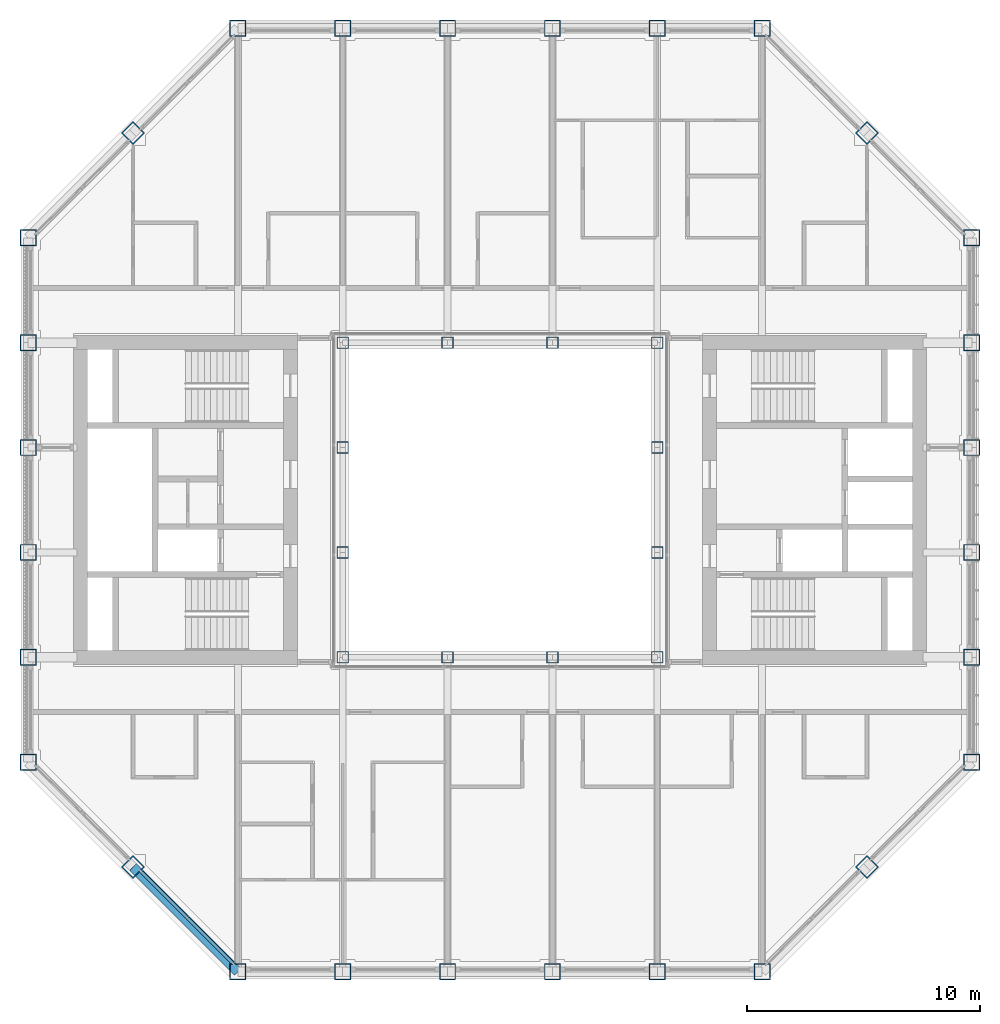
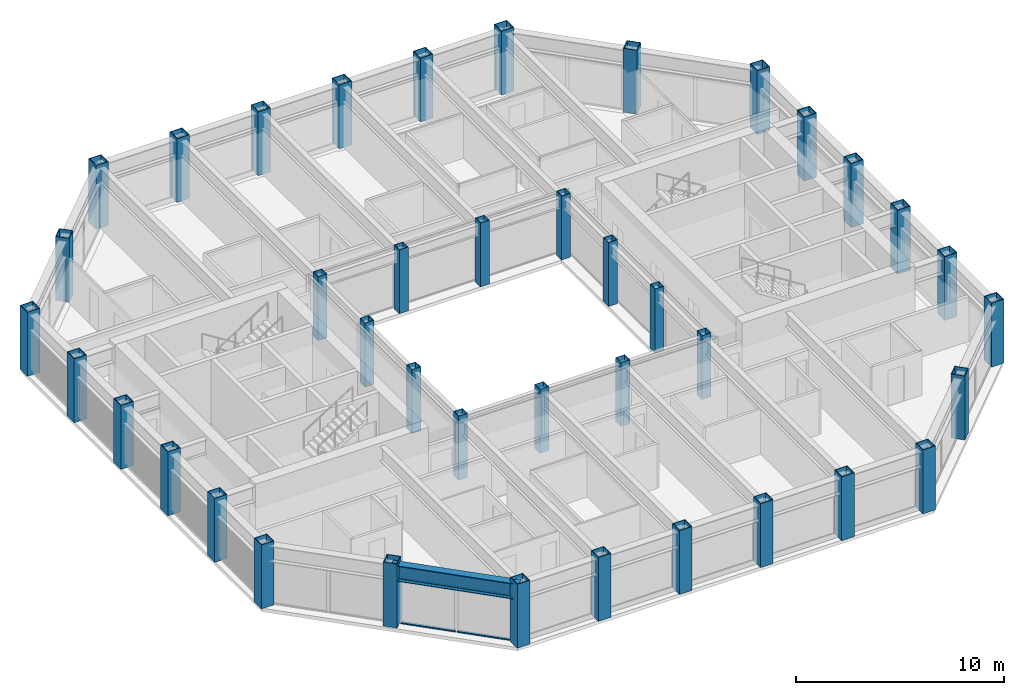
# One storey, part 1 of 18: 40 columns, 4 members, 1 beam, 1 element without a shape of its own.
"""IFC4 building model written with IfcOpenShell, lengths in metres."""

from ifc_helpers import new_model, si_unit, direction, frame, origin, origin_2d, place, context, subcontext, project, spatial, rectangle, hollow_rectangle, i_section, extrude, material, material_profile, profile_set, type_object, element, aggregate, save


model = new_model("IFC4")

# Units and contexts
model_context = context("Model", 3, precision=1e-05, world=origin(), true_north=direction((0.0, 1.0)))
body_context = subcontext(model_context, "Body", "Model", "MODEL_VIEW")
ifc_project = project(units=[si_unit("LENGTHUNIT", "METRE"), si_unit("AREAUNIT", "SQUARE_METRE"), si_unit("VOLUMEUNIT", "CUBIC_METRE"), si_unit("PLANEANGLEUNIT", "RADIAN"), si_unit("MASSUNIT", "GRAM", prefix="KILO")], contexts=[model_context])

# Site, building, storey
site_placement = place(None, origin())
site = spatial("IfcSite", under=ifc_project, at=site_placement, CompositionType="ELEMENT")
building_placement = place(site_placement, origin())
building = spatial("IfcBuilding", under=site, at=building_placement, Name="Msasa Ring Tower", CompositionType="ELEMENT")
storey_placement = place(building_placement, frame((0.0, 0.0, 223.300048828125)))
storey = spatial("IfcBuildingStorey", under=building, at=storey_placement, Name="L58", CompositionType="ELEMENT", Elevation=223.300048828125)

# Columns
ifc_material_1 = material(Name="Steel S355", Category="steel")
ifc_material_profile_1 = material_profile(ifc_material_1, hollow_rectangle(XDim=0.5, YDim=0.5, WallThickness=0.030029296875, at=origin_2d()), Name="BOX 500x500x30")
ifc_profile_set_1 = profile_set([ifc_material_profile_1], Name="Steel S355")
column_type_1 = type_object("IfcColumnType", Name="IC6 BOX 500x500x30", PredefinedType="COLUMN", material=ifc_profile_set_1)
for number, where, z_axis, x_axis, name in (
    (1, (-6.75, -6.75, 0.0), (0.0, 0.0, 1.0), (1.0, 0.0, 0.0), "Inner ring column IR-6.75-6.75 L58"),
    (2, (-6.75, -2.25, 0.0), (0.0, 0.0, 1.0), (1.0, 0.0, 0.0), "Inner ring column IR-6.75-2.25 L58"),
    (3, (-6.75, 2.25, 0.0), (0.0, 0.0, 1.0), (1.0, 0.0, 0.0), "Inner ring column IR-6.75+2.25 L58"),
    (4, (-6.75, 6.75, 0.0), (0.0, 0.0, 1.0), (1.0, 0.0, 0.0), "Inner ring column IR-6.75+6.75 L58"),
    (5, (-2.25, -6.75, 0.0), (0.0, 0.0, 1.0), (1.0, 0.0, 0.0), "Inner ring column IR-2.25-6.75 L58"),
    (6, (-2.25, 6.75, 0.0), (0.0, 0.0, 1.0), (1.0, 0.0, 0.0), "Inner ring column IR-2.25+6.75 L58"),
    (7, (2.25, -6.75, 0.0), (0.0, 0.0, 1.0), (1.0, 0.0, 0.0), "Inner ring column IR+2.25-6.75 L58"),
    (8, (2.25, 6.75, 0.0), (0.0, 0.0, 1.0), (1.0, 0.0, 0.0), "Inner ring column IR+2.25+6.75 L58"),
    (9, (6.75, -6.75, 0.0), (0.0, 0.0, 1.0), (1.0, 0.0, 0.0), "Inner ring column IR+6.75-6.75 L58"),
    (10, (6.75, -2.25, 0.0), (0.0, 0.0, 1.0), (1.0, 0.0, 0.0), "Inner ring column IR+6.75-2.25 L58"),
    (11, (6.75, 2.25, 0.0), (0.0, 0.0, 1.0), (1.0, 0.0, 0.0), "Inner ring column IR+6.75+2.25 L58"),
    (12, (6.75, 6.75, 0.0), (0.0, 0.0, 1.0), (1.0, 0.0, 0.0), "Inner ring column IR+6.75+6.75 L58"),
):
    element("IfcColumn", number, at=place(storey_placement, frame(where, z_axis=z_axis, x_axis=x_axis)), inside=storey, type_object=column_type_1, Name=name, PredefinedType="COLUMN", context=body_context, shape_type="SweptSolid", body=[
        extrude(hollow_rectangle(XDim=0.5, YDim=0.5, WallThickness=0.030029296875, at=origin_2d()), origin(), (0.0, 0.0, 1.0), 3.75),
    ])
ifc_material_2 = material(Name="Steel S355", Category="steel")
ifc_material_profile_2 = material_profile(ifc_material_2, hollow_rectangle(XDim=0.699951171875, YDim=0.699951171875, WallThickness=0.0400390625, at=origin_2d()), Name="BOX 700x700x40")
ifc_profile_set_2 = profile_set([ifc_material_profile_2], Name="Steel S355")
column_type_2 = type_object("IfcColumnType", Name="TC7 BOX 700x700x40", PredefinedType="COLUMN", material=ifc_profile_set_2)
for number, where, z_axis, x_axis, name in (
    (13, (-11.25, -20.25, 0.0), (0.0, 0.0, 1.0), (0.0, 1.0, 0.0), "Tube column S-11.25 L58"),
    (14, (-11.25, 20.25, 0.0), (0.0, 0.0, 1.0), (0.0, 1.0, 0.0), "Tube column N-11.25 L58"),
    (15, (20.25, -11.25, 0.0), (0.0, 0.0, 1.0), (1.0, 0.0, 0.0), "Tube column E-11.25 L58"),
    (16, (-20.25, -11.25, 0.0), (0.0, 0.0, 1.0), (1.0, 0.0, 0.0), "Tube column W-11.25 L58"),
    (17, (-6.75, -20.25, 0.0), (0.0, 0.0, 1.0), (0.0, 1.0, 0.0), "Tube column S-6.75 L58"),
    (18, (-6.75, 20.25, 0.0), (0.0, 0.0, 1.0), (0.0, 1.0, 0.0), "Tube column N-6.75 L58"),
    (19, (20.25, -6.75, 0.0), (0.0, 0.0, 1.0), (1.0, 0.0, 0.0), "Tube column E-6.75 L58"),
    (20, (-20.25, -6.75, 0.0), (0.0, 0.0, 1.0), (1.0, 0.0, 0.0), "Tube column W-6.75 L58"),
    (21, (-2.25, -20.25, 0.0), (0.0, 0.0, 1.0), (0.0, 1.0, 0.0), "Tube column S-2.25 L58"),
    (22, (-2.25, 20.25, 0.0), (0.0, 0.0, 1.0), (0.0, 1.0, 0.0), "Tube column N-2.25 L58"),
    (23, (20.25, -2.25, 0.0), (0.0, 0.0, 1.0), (1.0, 0.0, 0.0), "Tube column E-2.25 L58"),
    (24, (-20.25, -2.25, 0.0), (0.0, 0.0, 1.0), (1.0, 0.0, 0.0), "Tube column W-2.25 L58"),
    (25, (2.25, -20.25, 0.0), (0.0, 0.0, 1.0), (0.0, 1.0, 0.0), "Tube column S+2.25 L58"),
    (26, (2.25, 20.25, 0.0), (0.0, 0.0, 1.0), (0.0, 1.0, 0.0), "Tube column N+2.25 L58"),
    (27, (20.25, 2.25, 0.0), (0.0, 0.0, 1.0), (1.0, 0.0, 0.0), "Tube column E+2.25 L58"),
    (28, (-20.25, 2.25, 0.0), (0.0, 0.0, 1.0), (1.0, 0.0, 0.0), "Tube column W+2.25 L58"),
    (29, (6.75, -20.25, 0.0), (0.0, 0.0, 1.0), (0.0, 1.0, 0.0), "Tube column S+6.75 L58"),
    (30, (6.75, 20.25, 0.0), (0.0, 0.0, 1.0), (0.0, 1.0, 0.0), "Tube column N+6.75 L58"),
    (31, (20.25, 6.75, 0.0), (0.0, 0.0, 1.0), (1.0, 0.0, 0.0), "Tube column E+6.75 L58"),
    (32, (-20.25, 6.75, 0.0), (0.0, 0.0, 1.0), (1.0, 0.0, 0.0), "Tube column W+6.75 L58"),
    (33, (11.25, -20.25, 0.0), (0.0, 0.0, 1.0), (0.0, 1.0, 0.0), "Tube column S+11.25 L58"),
    (34, (11.25, 20.25, 0.0), (0.0, 0.0, 1.0), (0.0, 1.0, 0.0), "Tube column N+11.25 L58"),
    (35, (20.25, 11.25, 0.0), (0.0, 0.0, 1.0), (1.0, 0.0, 0.0), "Tube column E+11.25 L58"),
    (36, (-20.25, 11.25, 0.0), (0.0, 0.0, 1.0), (1.0, 0.0, 0.0), "Tube column W+11.25 L58"),
    (37, (15.75, -15.75, 0.0), (0.0, 0.0, 1.0), (0.707106781187, -0.707106781187, 0.0), "Tube column SE L58"),
    (38, (15.75, 15.75, 0.0), (0.0, 0.0, 1.0), (0.707106781187, 0.707106781187, 0.0), "Tube column NE L58"),
    (39, (-15.75, 15.75, 0.0), (0.0, 0.0, 1.0), (0.707106781187, -0.707106781187, 0.0), "Tube column NW L58"),
    (40, (-15.75, -15.75, 0.0), (0.0, 0.0, 1.0), (0.707106781187, 0.707106781187, 0.0), "Tube column SW L58"),
):
    element("IfcColumn", number, at=place(storey_placement, frame(where, z_axis=z_axis, x_axis=x_axis)), inside=storey, type_object=column_type_2, Name=name, PredefinedType="COLUMN", context=body_context, shape_type="SweptSolid", body=[
        extrude(hollow_rectangle(XDim=0.699951171875, YDim=0.699951171875, WallThickness=0.0400390625, at=origin_2d()), origin(), (0.0, 0.0, 1.0), 3.75),
    ])

# Curtain wall, members
ifc_material_3 = material(Name="Aluminium curtain wall with clear glass", Category="aluminium")
curtain_wall_type = type_object("IfcCurtainWallType", Name="CW-C CHAMFER CORNER CURTAIN WALL", PredefinedType="NOTDEFINED", material=ifc_material_3)
curtain_wall_placement = place(storey_placement, origin())
curtain_wall = element("IfcCurtainWall", 41, at=curtain_wall_placement, inside=storey, type_object=curtain_wall_type, Name="Chamfer corner curtain wall SW L58", PredefinedType="NOTDEFINED")
ifc_material_4 = material(Name="Aluminium transom", Category="aluminium")
ifc_material_profile_3 = material_profile(ifc_material_4, rectangle(XDim=0.139892578125, YDim=0.06494140625, at=origin_2d()), Name="AL 65x140")
ifc_profile_set_3 = profile_set([ifc_material_profile_3], Name="Aluminium transom")
member_type = type_object("IfcMemberType", Name="CW-C TRANSOM 65x140", PredefinedType="USERDEFINED", material=ifc_profile_set_3)
member_1_placement = place(storey_placement, frame((-15.38232421875, -15.976318359375, 0.032470703125), z_axis=(0.707106781187, -0.707106781187, 0.0), x_axis=(0.707106781187, 0.707106781187, 0.0)))
member_1 = element("IfcMember", 42, at=member_1_placement, type_object=member_type, Name="CW-C transom 1.1", ObjectType="TRANSOM", PredefinedType="USERDEFINED", context=body_context, shape_type="SweptSolid", body=[
    extrude(rectangle(XDim=0.139892578125, YDim=0.06494140625, at=origin_2d()), origin(), (0.0, 0.0, 1.0), 2.729248046875),
])
member_2_placement = place(storey_placement, frame((-15.38232421875, -15.976318359375, 2.596435546875), z_axis=(0.707106781187, -0.707106781187, 0.0), x_axis=(0.707106781187, 0.707106781187, 0.0)))
member_2 = element("IfcMember", 43, at=member_2_placement, type_object=member_type, Name="CW-C transom 1.2", ObjectType="TRANSOM", PredefinedType="USERDEFINED", context=body_context, shape_type="SweptSolid", body=[
    extrude(rectangle(XDim=0.139892578125, YDim=0.06494140625, at=origin_2d()), origin(), (0.0, 0.0, 1.0), 2.729248046875),
])
member_3_placement = place(storey_placement, frame((-13.40625, -17.952392578125, 0.032470703125), z_axis=(0.707106781187, -0.707106781187, 0.0), x_axis=(0.707106781187, 0.707106781187, 0.0)))
member_3 = element("IfcMember", 44, at=member_3_placement, type_object=member_type, Name="CW-C transom 2.1", ObjectType="TRANSOM", PredefinedType="USERDEFINED", context=body_context, shape_type="SweptSolid", body=[
    extrude(rectangle(XDim=0.139892578125, YDim=0.06494140625, at=origin_2d()), origin(), (0.0, 0.0, 1.0), 2.729248046875),
])
member_4_placement = place(storey_placement, frame((-13.40625, -17.952392578125, 2.596435546875), z_axis=(0.707106781187, -0.707106781187, 0.0), x_axis=(0.707106781187, 0.707106781187, 0.0)))
member_4 = element("IfcMember", 45, at=member_4_placement, type_object=member_type, Name="CW-C transom 2.2", ObjectType="TRANSOM", PredefinedType="USERDEFINED", context=body_context, shape_type="SweptSolid", body=[
    extrude(rectangle(XDim=0.139892578125, YDim=0.06494140625, at=origin_2d()), origin(), (0.0, 0.0, 1.0), 2.729248046875),
])
aggregate(curtain_wall, [member_1, member_2, member_3, member_4])

# Beam
ifc_material_5 = material(Name="Steel S355", Category="steel")
ifc_material_profile_4 = material_profile(ifc_material_5, i_section(OverallWidth=0.42041015625, OverallDepth=0.9208984375, WebThickness=0.021484375, FlangeThickness=0.03662109375, FilletRadius=0.024169921875, at=origin_2d()), Name="UB 914x419x388")
ifc_profile_set_4 = profile_set([ifc_material_profile_4], Name="Steel S355")
beam_type = type_object("IfcBeamType", Name="SB1 UB 914x419x388", PredefinedType="SPANDREL", material=ifc_profile_set_4)
beam_placement = place(storey_placement, frame((-15.75, -15.75, 3.08935546875), z_axis=(0.707106781187, -0.707106781187, 0.0), x_axis=(0.707106781187, 0.707106781187, 0.0)))
element("IfcBeam", 46, at=beam_placement, inside=storey, type_object=beam_type, Name="Spandrel SW to S-11.25 under L59", PredefinedType="SPANDREL", context=body_context, shape_type="SweptSolid", body=[
    extrude(i_section(OverallWidth=0.42041015625, OverallDepth=0.9208984375, WebThickness=0.021484375, FlangeThickness=0.03662109375, FilletRadius=0.024169921875, at=origin_2d()), origin(), (0.0, 0.0, 1.0), 6.364013671875),
])

save(model, "model.ifc")
